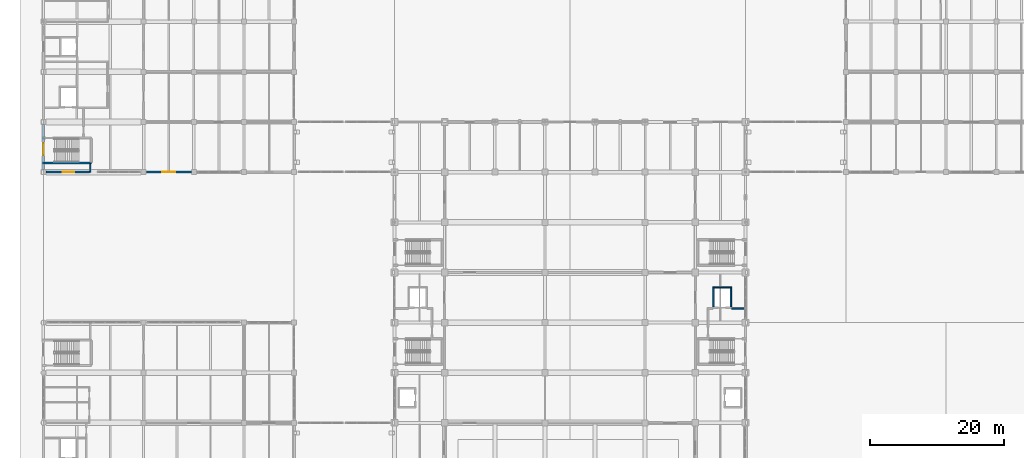
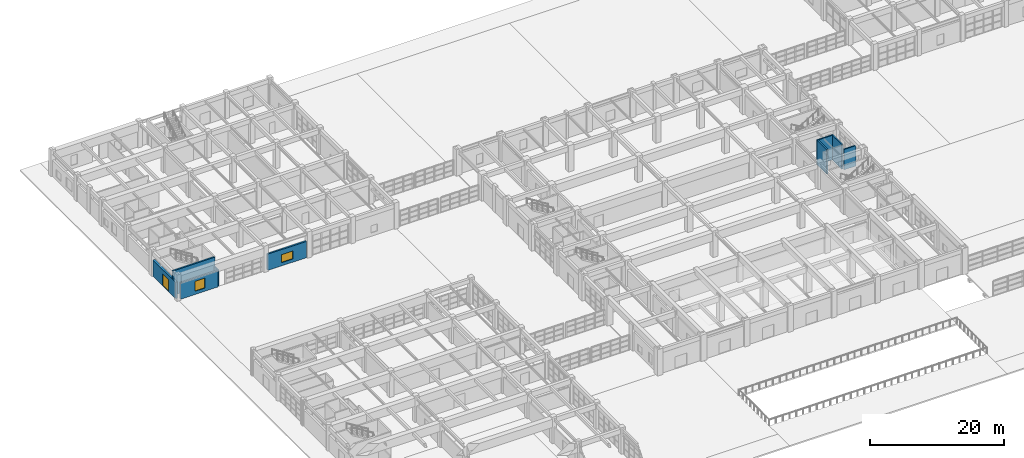
# One storey, part 89 of 122: 9 walls, 2 windows, 1 door, 3 openings.
"""IFC4 building model written with IfcOpenShell, lengths in metres."""

from ifc_helpers import new_model, si_unit, direction, frame, frame_2d, origin, place, context, subcontext, project, spatial, rectangle, extrude, material, layer, layer_set, type_object, element, fill, save


model = new_model("IFC4")

# Units and contexts
model_context = context("Model", 3, precision=1e-05, world=origin(), true_north=direction((0.0, 1.0)))
body_context = subcontext(model_context, "Body", "Model", "MODEL_VIEW")
ifc_project = project(units=[si_unit("LENGTHUNIT", "METRE"), si_unit("AREAUNIT", "SQUARE_METRE"), si_unit("VOLUMEUNIT", "CUBIC_METRE"), si_unit("PLANEANGLEUNIT", "RADIAN"), si_unit("MASSUNIT", "GRAM", prefix="KILO")], contexts=[model_context])

# Site, building, storey
site_placement = place(None, origin())
site = spatial("IfcSite", under=ifc_project, at=site_placement, CompositionType="ELEMENT")
building_placement = place(site_placement, origin())
building = spatial("IfcBuilding", under=site, at=building_placement, Name="Qasida Concert Hall", CompositionType="ELEMENT")
storey_placement = place(building_placement, origin())
storey = spatial("IfcBuildingStorey", under=building, at=storey_placement, Name="L00", CompositionType="ELEMENT", Elevation=0.0)

# Walls
ifc_material_1 = material(Name="Concrete C40/50", Category="concrete")
ifc_layer_1 = layer(ifc_material_1, 0.219970703125, Name="Concrete C40/50")
ifc_layer_set_1 = layer_set([ifc_layer_1], Name="Concrete C40/50")
wall_type_1 = type_object("IfcWallType", Name="WL-CW-220", PredefinedType="SOLIDWALL", material=ifc_layer_set_1)
wall_1_placement = place(storey_placement, frame((100.090087890625, 57.75, 0.0), z_axis=(0.0, 0.0, 1.0), x_axis=(1.0, 0.0, 0.0)))
element("IfcWall", 1, at=wall_1_placement, inside=storey, type_object=wall_type_1, Name="L00 LF-04 lift shaft wall N", PredefinedType="SOLIDWALL", context=body_context, shape_type="SweptSolid", body=[
    extrude(rectangle(XDim=2.81982421875, YDim=0.219970703125, at=frame_2d((1.409912109375, 0.0))), origin(), (0.0, 0.0, 1.0), 4.5),
])
for number, where, z_axis, x_axis, name in (
    (2, (100.199951171875, 54.860107421875, 0.0), (0.0, 0.0, 1.0), (0.0, 1.0, 0.0), "L00 LF-04 lift shaft wall W"),
    (3, (102.800048828125, 54.860107421875, 0.0), (0.0, 0.0, 1.0), (0.0, 1.0, 0.0), "L00 LF-04 lift shaft wall E"),
):
    element("IfcWall", number, at=place(storey_placement, frame(where, z_axis=z_axis, x_axis=x_axis)), inside=storey, type_object=wall_type_1, Name=name, PredefinedType="SOLIDWALL", context=body_context, shape_type="SweptSolid", body=[
        extrude(rectangle(XDim=2.77978515625, YDim=0.219970703125, at=frame_2d((1.389892578125, 0.0))), origin(), (0.0, 0.0, 1.0), 4.5),
    ])
ifc_layer_2 = layer(ifc_material_1, 0.25, Name="Concrete C40/50")
ifc_layer_set_2 = layer_set([ifc_layer_2], Name="Concrete C40/50")
wall_type_2 = type_object("IfcWallType", Name="WL-CW-250", PredefinedType="SOLIDWALL", material=ifc_layer_set_2)
wall_2_placement = place(storey_placement, frame((-0.1201171875, 76.375, 0.0), z_axis=(0.0, 0.0, 1.0), x_axis=(1.0, 0.0, 0.0)))
element("IfcWall", 4, at=wall_2_placement, inside=storey, type_object=wall_type_2, Name="L00 ST-05 stairwell wall S", PredefinedType="SOLIDWALL", context=body_context, shape_type="SweptSolid", body=[
    extrude(rectangle(XDim=7.260009765625, YDim=0.25, at=frame_2d((3.6298828125, 0.0))), origin(), (0.0, 0.0, 1.0), 4.5),
])

# Wall, opening, window
ifc_material_2 = material(Name="Precast concrete C40/50", Category="concrete")
ifc_layer_3 = layer(ifc_material_2, 0.280029296875, Name="Precast concrete C40/50")
ifc_layer_set_3 = layer_set([ifc_layer_3], Name="Precast concrete C40/50")
wall_type_3 = type_object("IfcWallType", Name="WL-EW-280", PredefinedType="SOLIDWALL", material=ifc_layer_set_3)
wall_3_placement = place(storey_placement, frame((0.385009765625, 75.0, 0.0), z_axis=(0.0, 0.0, 1.0), x_axis=(1.0, 0.0, 0.0)))
wall_3 = element("IfcWall", 5, at=wall_3_placement, inside=storey, type_object=wall_type_3, Name="L00 exterior wall EW-280 0230", PredefinedType="SOLIDWALL", context=body_context, shape_type="SweptSolid", body=[
    extrude(rectangle(XDim=6.494873046875, YDim=0.280029296875, at=frame_2d((3.24755859375, 0.0))), origin(), (0.0, 0.0, 1.0), 2.969970703125),
])
opening_1_placement = place(wall_3_placement, frame((2.514892578125, 0.0, 0.60009765625)))
opening_1 = element("IfcOpeningElement", 6, at=opening_1_placement, cuts=wall_3, Name="Opening WN-05", PredefinedType="OPENING", context=body_context, shape_type="SweptSolid", body=[
    extrude(rectangle(XDim=1.699951171875, YDim=1.800048828125, at=frame_2d((0.85009765625, 0.89990234375))), frame((0.0, 0.14990234375, 0.0), z_axis=(0.0, -1.0, 0.0), x_axis=(1.0, 0.0, 0.0)), (0.0, 0.0, 1.0), 0.300048828125),
])
ifc_material_3 = material(Name="Bronze-anodized aluminium frame with acoustic low-E glazing", Category="aluminium")
window_type_1 = type_object("IfcWindowType", Name="WN-05", PartitioningType="SINGLE_PANEL", PredefinedType="WINDOW", material=ifc_material_3)
window_1_placement = place(opening_1_placement, origin())
window_1 = element("IfcWindow", 7, at=window_1_placement, inside=storey, type_object=window_type_1, Name="L00 window WN-05 0111", OverallHeight=1.800048828125, OverallWidth=1.699951171875, PartitioningType="SINGLE_PANEL", PredefinedType="WINDOW", context=body_context, shape_type="SweptSolid", body=[
    extrude(rectangle(XDim=1.699951171875, YDim=1.800048828125, at=frame_2d((0.85009765625, 0.89990234375))), frame((0.0, 0.030029296875, 0.0), z_axis=(0.0, -1.0, 0.0), x_axis=(1.0, 0.0, 0.0)), (0.0, 0.0, 1.0), 0.06005859375),
])
fill(opening_1, window_1)

wall_4_placement = place(storey_placement, frame((15.385009765625, 75.0, 0.0), z_axis=(0.0, 0.0, 1.0), x_axis=(1.0, 0.0, 0.0)))
wall_4 = element("IfcWall", 8, at=wall_4_placement, inside=storey, type_object=wall_type_3, Name="L00 exterior wall EW-280 0233", PredefinedType="SOLIDWALL", context=body_context, shape_type="SweptSolid", body=[
    extrude(rectangle(XDim=6.72998046875, YDim=0.280029296875, at=frame_2d((3.364990234375, 0.0))), origin(), (0.0, 0.0, 1.0), 2.969970703125),
])
opening_2_placement = place(wall_4_placement, frame((2.364990234375, 0.0, 0.60009765625)))
opening_2 = element("IfcOpeningElement", 9, at=opening_2_placement, cuts=wall_4, Name="Opening WN-07", PredefinedType="OPENING", context=body_context, shape_type="SweptSolid", body=[
    extrude(rectangle(XDim=2.0, YDim=1.449951171875, at=frame_2d((1.0, 0.72509765625))), frame((0.0, 0.14990234375, 0.0), z_axis=(0.0, -1.0, 0.0), x_axis=(1.0, 0.0, 0.0)), (0.0, 0.0, 1.0), 0.300048828125),
])
window_type_2 = type_object("IfcWindowType", Name="WN-07", PartitioningType="SINGLE_PANEL", PredefinedType="WINDOW", material=ifc_material_3)
window_2_placement = place(opening_2_placement, origin())
window_2 = element("IfcWindow", 10, at=window_2_placement, inside=storey, type_object=window_type_2, Name="L00 window WN-07 0113", OverallHeight=1.449951171875, OverallWidth=2.0, PartitioningType="SINGLE_PANEL", PredefinedType="WINDOW", context=body_context, shape_type="SweptSolid", body=[
    extrude(rectangle(XDim=2.0, YDim=1.449951171875, at=frame_2d((1.0, 0.72509765625))), frame((0.0, 0.030029296875, 0.0), z_axis=(0.0, -1.0, 0.0), x_axis=(1.0, 0.0, 0.0)), (0.0, 0.0, 1.0), 0.06005859375),
])
fill(opening_2, window_2)

# Wall, opening, door
ifc_layer_4 = layer(ifc_material_2, 0.340087890625, Name="Precast concrete C40/50")
ifc_layer_set_4 = layer_set([ifc_layer_4], Name="Precast concrete C40/50")
wall_type_4 = type_object("IfcWallType", Name="WL-EW-340", PredefinedType="SOLIDWALL", material=ifc_layer_set_4)
wall_5_placement = place(storey_placement, frame((0.0, 75.385009765625, 0.0), z_axis=(0.0, 0.0, 1.0), x_axis=(0.0, 1.0, 0.0)))
wall_5 = element("IfcWall", 11, at=wall_5_placement, inside=storey, type_object=wall_type_4, Name="L00 exterior wall EW-340 0237", PredefinedType="SOLIDWALL", context=body_context, shape_type="SweptSolid", body=[
    extrude(rectangle(XDim=6.72998046875, YDim=0.340087890625, at=frame_2d((3.364990234375, 0.0))), origin(), (0.0, 0.0, 1.0), 2.969970703125),
])
opening_3_placement = place(wall_5_placement, frame((2.152099609375, 0.0, 0.0)))
opening_3 = element("IfcOpeningElement", 12, at=opening_3_placement, cuts=wall_5, Name="Opening ED-180", PredefinedType="OPENING", context=body_context, shape_type="SweptSolid", body=[
    extrude(rectangle(XDim=1.800048828125, YDim=2.199951171875, at=frame_2d((0.89990234375, 1.10009765625))), frame((0.0, 0.179931640625, 0.0), z_axis=(0.0, -1.0, 0.0), x_axis=(1.0, 0.0, 0.0)), (0.0, 0.0, 1.0), 0.360107421875),
])
ifc_material_4 = material(Name="Patinated architectural bronze and laminated safety glass", Category="glass")
door_type = type_object("IfcDoorType", Name="ED-180", OperationType="NOTDEFINED", PredefinedType="DOOR", material=ifc_material_4)
door_placement = place(opening_3_placement, origin())
door = element("IfcDoor", 13, at=door_placement, inside=storey, type_object=door_type, Name="Exit stair ST-05 final discharge door", OperationType="SINGLE_SWING_RIGHT", OverallHeight=2.199951171875, OverallWidth=1.800048828125, PredefinedType="DOOR", context=body_context, shape_type="SweptSolid", body=[
    extrude(rectangle(XDim=1.800048828125, YDim=2.199951171875, at=frame_2d((0.89990234375, 1.10009765625))), frame((0.0, 0.02490234375, 0.0), z_axis=(0.0, -1.0, 0.0), x_axis=(1.0, 0.0, 0.0)), (0.0, 0.0, 1.0), 0.050048828125),
])
fill(opening_3, door)

# Walls
ifc_material_5 = material(Name="Acoustic metal-stud gypsum partition", Category="gypsum")
ifc_layer_5 = layer(ifc_material_5, 0.179931640625, Name="Acoustic metal-stud gypsum partition")
ifc_layer_set_5 = layer_set([ifc_layer_5], Name="Acoustic metal-stud gypsum partition")
wall_type_5 = type_object("IfcWallType", Name="WL-PW-180", PredefinedType="PARTITIONING", material=ifc_layer_set_5)
wall_6_placement = place(storey_placement, frame((7.02001953125, 75.0, 0.0), z_axis=(0.0, 0.0, 1.0), x_axis=(0.0, 1.0, 0.0)))
element("IfcWall", 14, at=wall_6_placement, inside=storey, type_object=wall_type_5, Name="L00 partition PW-180 0249", PredefinedType="PARTITIONING", context=body_context, shape_type="SweptSolid", body=[
    extrude(rectangle(XDim=1.236083984375, YDim=0.179931640625, at=frame_2d((0.6181640625, 0.0))), origin(), (0.0, 0.0, 1.0), 2.969970703125),
])
ifc_material_6 = material(Name="Acoustic gypsum block and mineral wool", Category="gypsum")
ifc_layer_6 = layer(ifc_material_6, 0.199951171875, Name="Acoustic gypsum block and mineral wool")
ifc_layer_set_6 = layer_set([ifc_layer_6], Name="Acoustic gypsum block and mineral wool")
wall_type_6 = type_object("IfcWallType", Name="WL-PW-200", PredefinedType="PARTITIONING", material=ifc_layer_set_6)
wall_7_placement = place(storey_placement, frame((102.925048828125, 54.6298828125, 0.0), z_axis=(0.0, 0.0, 1.0), x_axis=(1.0, 0.0, 0.0)))
element("IfcWall", 15, at=wall_7_placement, inside=storey, type_object=wall_type_6, Name="L00 LF-04 firefighting lobby return wall", PredefinedType="PARTITIONING", context=body_context, shape_type="SweptSolid", body=[
    extrude(rectangle(XDim=2.014892578125, YDim=0.199951171875, at=frame_2d((1.00732421875, 0.0))), origin(), (0.0, 0.0, 1.0), 3.72998046875),
])

save(model, "model.ifc")
